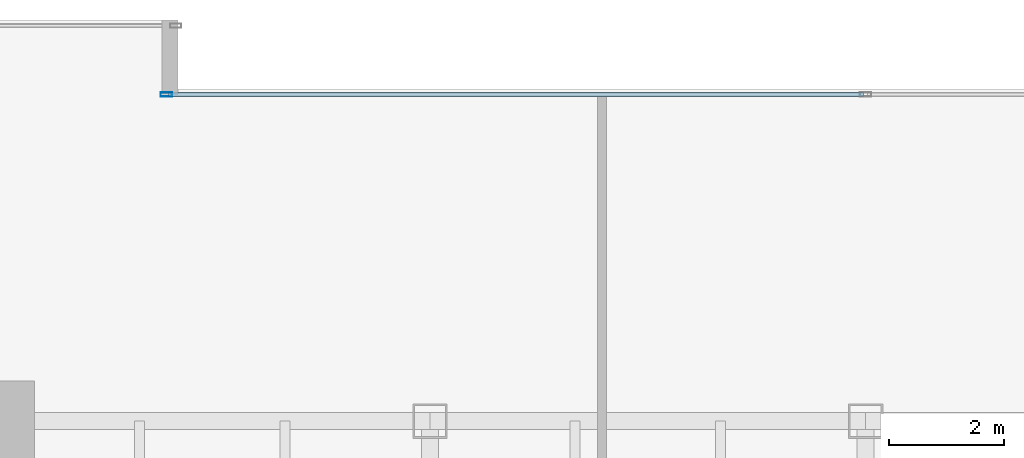
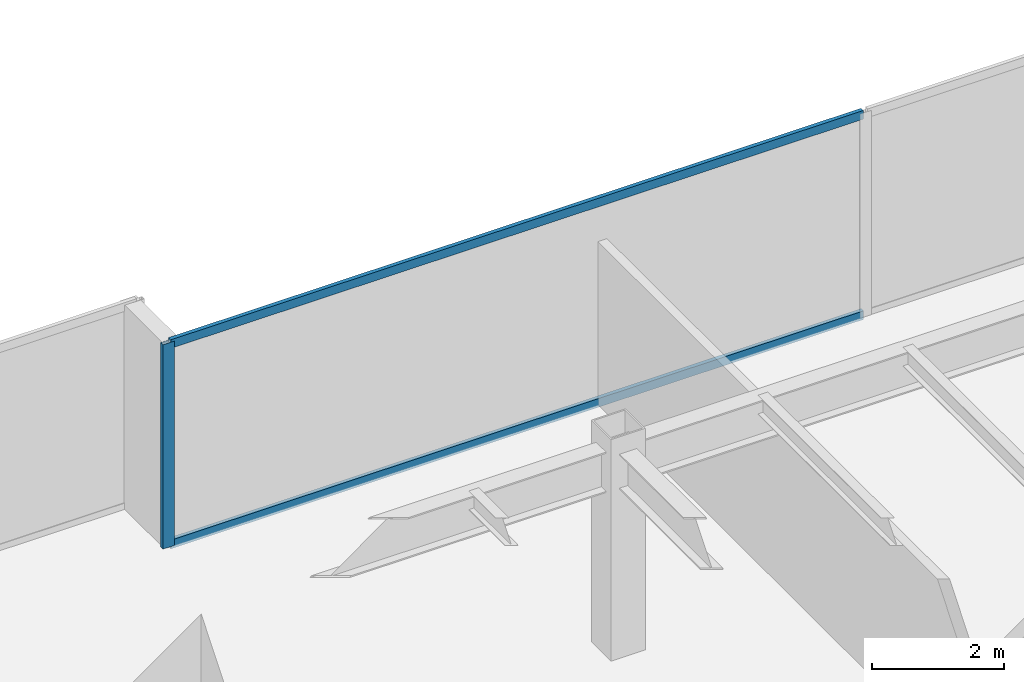
# One storey, part 14 of 35: 3 members, 1 element without a shape of its own.
"""IFC4 building model written with IfcOpenShell, lengths in metres."""

from ifc_helpers import new_model, si_unit, direction, frame, origin, origin_2d, place, context, subcontext, project, spatial, hollow_rectangle, extrude, source, transform, mapped, material, layer, layer_set, material_profile, profile_set, type_object, type_shapes, element, aggregate, save


model = new_model("IFC4")

# Units and contexts
model_context = context("Model", 3, precision=1e-05, world=origin(), true_north=direction((0.0, 1.0)))
body_context = subcontext(model_context, "Body", "Model", "MODEL_VIEW")
ifc_project = project(units=[si_unit("LENGTHUNIT", "METRE"), si_unit("AREAUNIT", "SQUARE_METRE"), si_unit("VOLUMEUNIT", "CUBIC_METRE"), si_unit("PLANEANGLEUNIT", "RADIAN"), si_unit("MASSUNIT", "GRAM", prefix="KILO")], contexts=[model_context])

# Site, building, storey
site_placement = place(None, origin())
site = spatial("IfcSite", under=ifc_project, at=site_placement, CompositionType="ELEMENT")
building_placement = place(site_placement, origin())
building = spatial("IfcBuilding", under=site, at=building_placement, Name="Haelvirn Gate Laboratories", CompositionType="ELEMENT")
storey_placement = place(building_placement, frame((0.0, 0.0, 90.800048828125)))
storey = spatial("IfcBuildingStorey", under=building, at=storey_placement, Name="L22", CompositionType="ELEMENT", Elevation=90.800048828125)

# Curtain wall, members
ifc_material_1 = material(Name="Anodised bronze unitised aluminium & triple low-E glass", Category="aluminium")
ifc_layer = layer(ifc_material_1, 0.18408203125, Name="CW-SYS-2")
ifc_layer_set = layer_set([ifc_layer], Name="Anodised bronze unitised aluminium & triple low-E glass")
curtain_wall_type = type_object("IfcCurtainWallType", Name="CW-SYS-2", PredefinedType="NOTDEFINED", material=ifc_layer_set)
curtain_wall_placement = place(storey_placement, origin())
curtain_wall = element("IfcCurtainWall", 1, at=curtain_wall_placement, inside=storey, type_object=curtain_wall_type, Name="L22 Unitised Curtain Wall CW-L22-P0-E12-1", PredefinedType="NOTDEFINED")
ifc_material_2 = material(Name="Extruded aluminium 6063-T6 (anodised bronze)", Category="aluminium")
ifc_material_profile_1 = material_profile(ifc_material_2, hollow_rectangle(XDim=0.074951171875, YDim=0.199951171875, WallThickness=0.0048828125, at=origin_2d()), Name="CWM-200x75x5")
ifc_profile_set_1 = profile_set([ifc_material_profile_1], Name="Extruded aluminium 6063-T6 (anodised bronze)")
member_type_1 = type_object("IfcMemberType", Name="CWM-T200", PredefinedType="MULLION", material=ifc_profile_set_1)
shared_shape_1 = source(origin(), body_context, "Body", "SweptSolid", [
    extrude(hollow_rectangle(XDim=0.074951171875, YDim=0.199951171875, WallThickness=0.0048828125, at=origin_2d()), origin(), (0.0, 0.0, 1.0), 3.780029296875),
])
type_shapes(member_type_1, [shared_shape_1])
member_1_placement = place(storey_placement, frame((25.197509765625, 47.300048828125, 0.0), z_axis=(0.0, 0.0, 1.0), x_axis=(0.0, 1.0, 0.0)))
member_1 = element("IfcMember", 2, at=member_1_placement, type_object=member_type_1, Name="CW2 mullion 1", PredefinedType="MULLION", context=body_context, shape_type="MappedRepresentation", body=[
    mapped(shared_shape_1, transform((0.0, 0.0, 0.0), scale=1.0)),
])
ifc_material_profile_2 = material_profile(ifc_material_2, hollow_rectangle(XDim=0.070068359375, YDim=0.159912109375, WallThickness=0.0048828125, at=origin_2d()), Name="CWT-160x70x5")
ifc_profile_set_2 = profile_set([ifc_material_profile_2], Name="Extruded aluminium 6063-T6 (anodised bronze)")
member_type_2 = type_object("IfcMemberType", Name="CWT-T160", PredefinedType="USERDEFINED", material=ifc_profile_set_2)
shared_shape_2 = source(origin(), body_context, "Body", "SweptSolid", [
    extrude(hollow_rectangle(XDim=0.070068359375, YDim=0.159912109375, WallThickness=0.0048828125, at=origin_2d()), origin(), (0.0, 0.0, 1.0), 12.12744140625),
])
type_shapes(member_type_2, [shared_shape_2])
member_2_placement = place(storey_placement, frame((25.235107421875, 47.300048828125, 0.034912109375), z_axis=(1.0, 0.0, 0.0), x_axis=(0.0, 1.0, 0.0)))
member_2 = element("IfcMember", 3, at=member_2_placement, type_object=member_type_2, Name="CW2 transom 1.1", ObjectType="TRANSOM", PredefinedType="USERDEFINED", context=body_context, shape_type="MappedRepresentation", body=[
    mapped(shared_shape_2, transform((0.0, 0.0, 0.0), scale=1.0)),
])
member_3_placement = place(storey_placement, frame((25.235107421875, 47.300048828125, 3.744873046875), z_axis=(1.0, 0.0, 0.0), x_axis=(0.0, 1.0, 0.0)))
member_3 = element("IfcMember", 4, at=member_3_placement, type_object=member_type_2, Name="CW2 transom 1.2", ObjectType="TRANSOM", PredefinedType="USERDEFINED", context=body_context, shape_type="MappedRepresentation", body=[
    mapped(shared_shape_2, transform((0.0, 0.0, 0.0), scale=1.0)),
])
aggregate(curtain_wall, [member_1, member_2, member_3])

save(model, "model.ifc")
